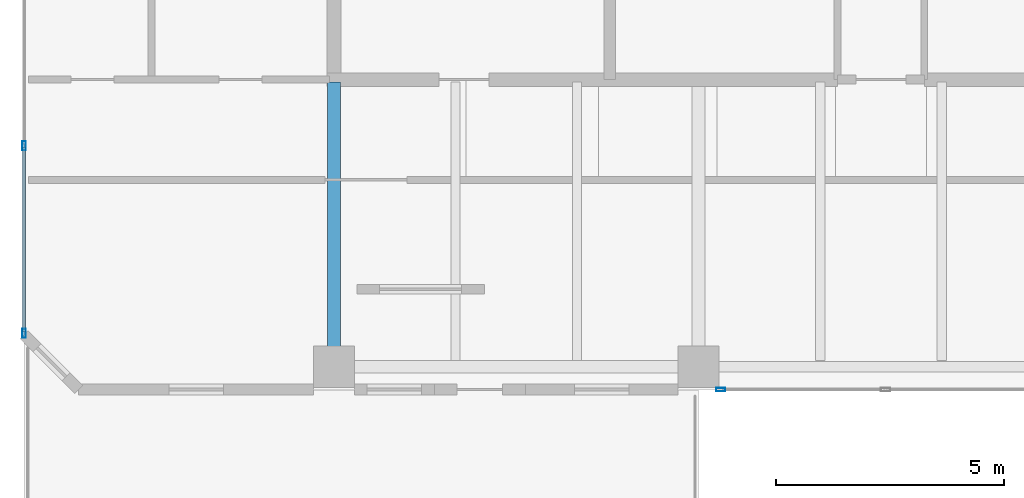
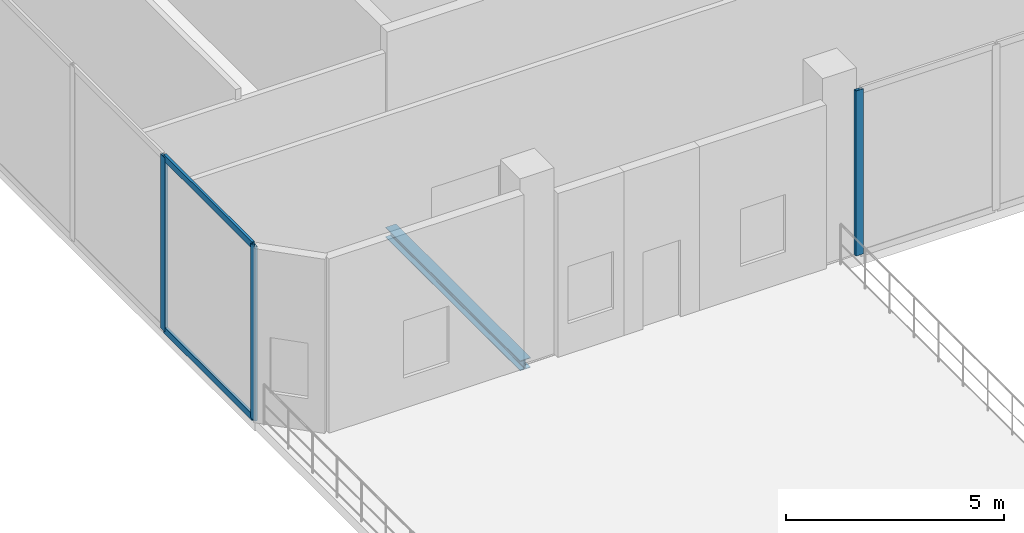
# One storey, part 2 of 11: 5 members, 1 beam, 2 elements without a shape of their own.
"""IFC4 building model written with IfcOpenShell, lengths in metres."""

from ifc_helpers import new_model, si_unit, direction, frame, origin, origin_2d, place, context, subcontext, project, spatial, hollow_rectangle, i_section, extrude, material, layer, layer_set, material_profile, profile_set, type_object, element, aggregate, save


model = new_model("IFC4")

# Units and contexts
model_context = context("Model", 3, precision=1e-05, world=origin(), true_north=direction((0.0, 1.0)))
body_context = subcontext(model_context, "Body", "Model", "MODEL_VIEW")
ifc_project = project(units=[si_unit("LENGTHUNIT", "METRE"), si_unit("AREAUNIT", "SQUARE_METRE"), si_unit("VOLUMEUNIT", "CUBIC_METRE"), si_unit("PLANEANGLEUNIT", "RADIAN"), si_unit("MASSUNIT", "GRAM", prefix="KILO")], contexts=[model_context])

# Site, building, storey
site_placement = place(None, origin())
site = spatial("IfcSite", under=ifc_project, at=site_placement, CompositionType="ELEMENT")
building_placement = place(site_placement, origin())
building = spatial("IfcBuilding", under=site, at=building_placement, Name="Catumbela Crestline Tower", CompositionType="ELEMENT")
storey_placement = place(building_placement, frame((0.0, 0.0, 290.6)))
storey = spatial("IfcBuildingStorey", under=building, at=storey_placement, Name="L75", CompositionType="ELEMENT", Elevation=290.6)

# Beam
ifc_material_1 = material(Name="Structural steel S355J2", Category="steel")
ifc_material_profile_1 = material_profile(ifc_material_1, i_section(OverallWidth=0.28, OverallDepth=0.28, WebThickness=0.0105, FlangeThickness=0.018, FilletRadius=0.024, at=origin_2d()), Name="HEB 280")
ifc_profile_set_1 = profile_set([ifc_material_profile_1], Name="Structural steel S355J2")
beam_type = type_object("IfcBeamType", Name="BG-HEB280", PredefinedType="BEAM", material=ifc_profile_set_1)
beam_placement = place(storey_placement, frame((16.0, 24.58, -0.46), z_axis=(0.0, 1.0, 0.0), x_axis=(-1.0, 0.0, 0.0)))
element("IfcBeam", 1, at=beam_placement, inside=storey, type_object=beam_type, Name="L75 Beam BM-L75-SNS04", PredefinedType="BEAM", context=body_context, shape_type="SweptSolid", body=[
    extrude(i_section(OverallWidth=0.28, OverallDepth=0.28, WebThickness=0.0105, FlangeThickness=0.018, FilletRadius=0.024, at=origin_2d()), origin(), (0.0, 0.0, 1.0), 6.17),
])

# Curtain wall, member
ifc_material_2 = material(Name="Aluminium alloy AW-6060-T66", Category="aluminium")
ifc_layer = layer(ifc_material_2, 0.18, Name="Aluminium alloy AW-6060-T66")
ifc_layer_set = layer_set([ifc_layer], Name="Aluminium alloy AW-6060-T66")
curtain_wall_type = type_object("IfcCurtainWallType", Name="CWS-OBS", PredefinedType="USERDEFINED", material=ifc_layer_set)
curtain_wall_1_placement = place(storey_placement, origin())
curtain_wall_1 = element("IfcCurtainWall", 2, at=curtain_wall_1_placement, inside=storey, type_object=curtain_wall_type, Name="L75 Stick Curtain Wall CW-L75-E0S4", ObjectType="STICK", PredefinedType="USERDEFINED")
ifc_material_profile_2 = material_profile(ifc_material_2, hollow_rectangle(XDim=0.075, YDim=0.2, WallThickness=0.005, at=origin_2d()), Name="ALU 200x75x5")
ifc_profile_set_2 = profile_set([ifc_material_profile_2], Name="Aluminium alloy AW-6060-T66")
member_type_1 = type_object("IfcMemberType", Name="MUL-200X75", PredefinedType="MULLION", material=ifc_profile_set_2)
member_1_placement = place(storey_placement, frame((24.4825, 24.0, 0.0), z_axis=(0.0, 0.0, 1.0), x_axis=(0.0, 1.0, 0.0)))
member_1 = element("IfcMember", 3, at=member_1_placement, type_object=member_type_1, Name="CWS-OBS mullion 1", PredefinedType="MULLION", context=body_context, shape_type="SweptSolid", body=[
    extrude(hollow_rectangle(XDim=0.075, YDim=0.2, WallThickness=0.005, at=origin_2d()), origin(), (0.0, 0.0, 1.0), 4.62),
])
aggregate(curtain_wall_1, [member_1])

# Curtain wall, members
curtain_wall_2_placement = place(storey_placement, origin())
curtain_wall_2 = element("IfcCurtainWall", 4, at=curtain_wall_2_placement, inside=storey, type_object=curtain_wall_type, Name="L75 Stick Curtain Wall CW-L75-E6S1", ObjectType="STICK", PredefinedType="USERDEFINED")
member_2_placement = place(storey_placement, frame((9.2, 29.35, 0.0), z_axis=(0.0, 0.0, 1.0), x_axis=(1.0, 0.0, 0.0)))
member_2 = element("IfcMember", 5, at=member_2_placement, type_object=member_type_1, Name="CWS-OBS mullion 4", PredefinedType="MULLION", context=body_context, shape_type="SweptSolid", body=[
    extrude(hollow_rectangle(XDim=0.075, YDim=0.2, WallThickness=0.005, at=origin_2d()), origin(), (0.0, 0.0, 1.0), 4.87),
])
member_3_placement = place(storey_placement, frame((9.2, 25.2325, 0.0), z_axis=(0.0, 0.0, 1.0), x_axis=(1.0, 0.0, 0.0)))
member_3 = element("IfcMember", 6, at=member_3_placement, type_object=member_type_1, Name="CWS-OBS mullion 5", PredefinedType="MULLION", context=body_context, shape_type="SweptSolid", body=[
    extrude(hollow_rectangle(XDim=0.075, YDim=0.2, WallThickness=0.005, at=origin_2d()), origin(), (0.0, 0.0, 1.0), 4.87),
])
ifc_material_profile_3 = material_profile(ifc_material_2, hollow_rectangle(XDim=0.065, YDim=0.18, WallThickness=0.004, at=origin_2d()), Name="ALU 180x65x4")
ifc_profile_set_3 = profile_set([ifc_material_profile_3], Name="Aluminium alloy AW-6060-T66")
member_type_2 = type_object("IfcMemberType", Name="TRN-180X65", PredefinedType="USERDEFINED", material=ifc_profile_set_3)
member_4_placement = place(storey_placement, frame((9.2, 29.3175, 0.03), z_axis=(0.0, -1.0, 0.0), x_axis=(1.0, 0.0, 0.0)))
member_4 = element("IfcMember", 7, at=member_4_placement, type_object=member_type_2, Name="CWS-OBS transom 4.1", ObjectType="TRANSOM", PredefinedType="USERDEFINED", context=body_context, shape_type="SweptSolid", body=[
    extrude(hollow_rectangle(XDim=0.065, YDim=0.18, WallThickness=0.004, at=origin_2d()), origin(), (0.0, 0.0, 1.0), 4.0525),
])
member_5_placement = place(storey_placement, frame((9.2, 29.3175, 4.84), z_axis=(0.0, -1.0, 0.0), x_axis=(1.0, 0.0, 0.0)))
member_5 = element("IfcMember", 8, at=member_5_placement, type_object=member_type_2, Name="CWS-OBS transom 4.2", ObjectType="TRANSOM", PredefinedType="USERDEFINED", context=body_context, shape_type="SweptSolid", body=[
    extrude(hollow_rectangle(XDim=0.065, YDim=0.18, WallThickness=0.004, at=origin_2d()), origin(), (0.0, 0.0, 1.0), 4.0525),
])
aggregate(curtain_wall_2, [member_2, member_3, member_4, member_5])

save(model, "model.ifc")
